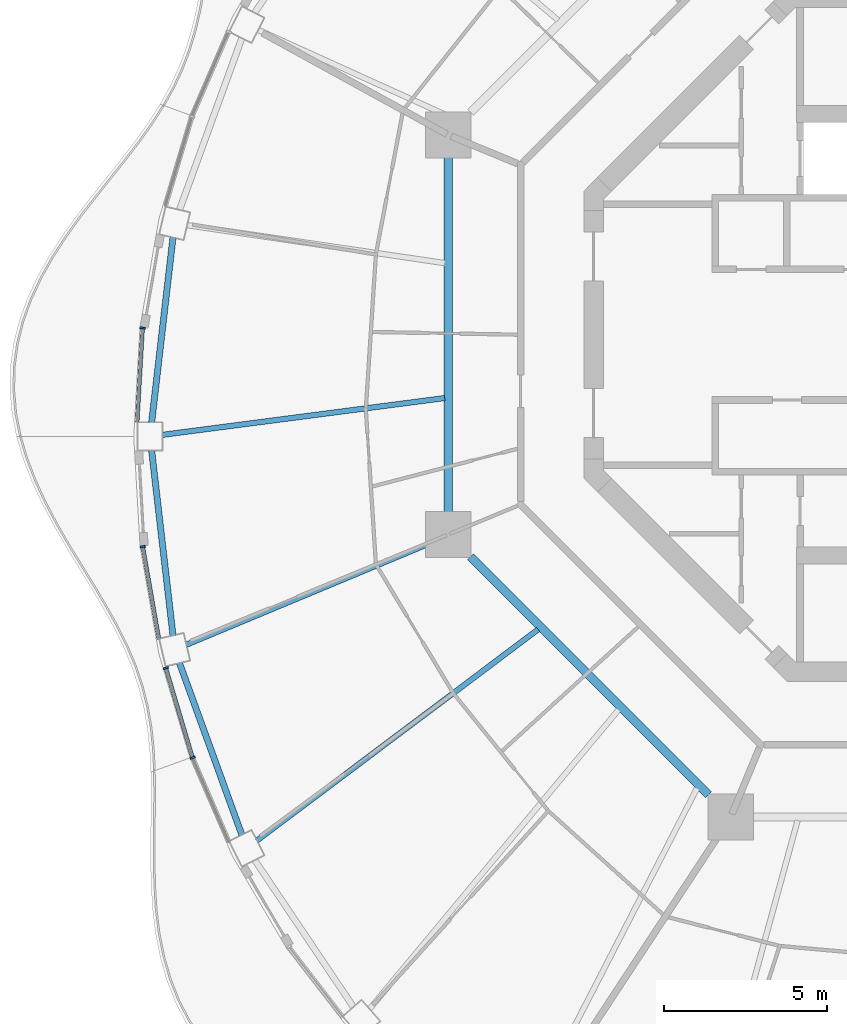
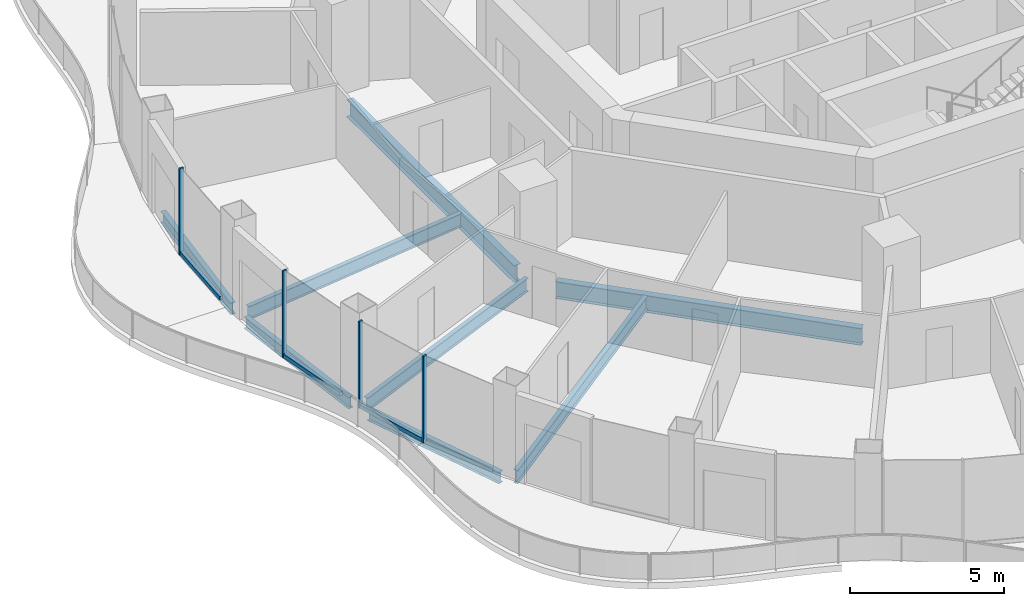
# One storey, part 3 of 17: 8 beams, 7 members, 4 elements without a shape of their own.
"""IFC4 building model written with IfcOpenShell, lengths in metres."""

import ifcopenshell
import ifcopenshell.guid

model = None  # the IFC model being written
_history = None  # IfcOwnerHistory: only IFC2X3 demands one
_inside = {}  # id of a spatial element -> (the spatial element, [elements in it])
_under = {}  # id of a project, library or spatial element -> (it, [spatial elements below it])
_declared = {}  # id of a project -> (the project, [libraries it declares])
_typed = {}  # id of a type object -> (the type object, [elements of that type])
_made_of = {}  # id of a material, layer set ... -> (it, [elements and type objects made of it])


def new_model(schema):
    """Start an empty IFC model of exactly this schema.

    Asked for "IFC4X3", IfcOpenShell would pick the latest addendum, in which some entities
    have other attributes; the version numbers below select the first issue.
    IFC2X3 requires an IfcOwnerHistory on every rooted entity: one is made here for all.
    """
    global model, _history
    if schema == "IFC4X3":
        model = ifcopenshell.file(schema_version=(4, 3, 0, 0))
    else:
        model = ifcopenshell.file(schema=schema)
    _inside.clear()
    _under.clear()
    _declared.clear()
    _typed.clear()
    _made_of.clear()
    _history = None
    if model.schema == "IFC2X3":
        org = make("IfcOrganization", Name="unknown")
        user = make(
            "IfcPersonAndOrganization",
            ThePerson=make("IfcPerson", FamilyName="unknown"),
            TheOrganization=org,
        )
        app = make(
            "IfcApplication",
            ApplicationDeveloper=org,
            Version="unknown",
            ApplicationFullName="unknown",
            ApplicationIdentifier="unknown",
        )
        _history = make(
            "IfcOwnerHistory",
            OwningUser=user,
            OwningApplication=app,
            ChangeAction="ADDED",
            CreationDate=0,
        )
    return model


def make(cls, **values):
    """One entity of the class cls with the attributes given. An attribute that is None is left unset."""
    return model.create_entity(
        cls, **{name: value for name, value in values.items() if value is not None}
    )


def rooted(cls, **values):
    """An entity with a GlobalId (a new one), such as an element, a storey or a relation."""
    return make(cls, GlobalId=ifcopenshell.guid.new(), OwnerHistory=_history, **values)


def si_unit(unit_type, name, prefix=None):
    """IfcSIUnit, for example si_unit("LENGTHUNIT", "METRE", prefix="MILLI")."""
    return make("IfcSIUnit", UnitType=unit_type, Prefix=prefix, Name=name)


def assignment(units):
    """IfcUnitAssignment: the units of a project."""
    return None if units is None else make("IfcUnitAssignment", Units=units)


def point(xyz):
    """IfcCartesianPoint."""
    return None if xyz is None else make("IfcCartesianPoint", Coordinates=xyz)


def direction(xyz):
    """IfcDirection."""
    return None if xyz is None else make("IfcDirection", DirectionRatios=xyz)


def frame(location, z_axis=None, x_axis=None):
    """IfcAxis2Placement3D, a coordinate frame: its origin and axes. An axis left out is left unset."""
    return make(
        "IfcAxis2Placement3D",
        Location=point(location),
        Axis=direction(z_axis),
        RefDirection=direction(x_axis),
    )


def frame_2d(location, x_axis=None):
    """IfcAxis2Placement2D, a coordinate frame in the plane: its origin and x axis."""
    return make(
        "IfcAxis2Placement2D", Location=point(location), RefDirection=direction(x_axis)
    )


def origin():
    """The frame at (0, 0, 0) with its axes left unset."""
    return frame((0.0, 0.0, 0.0))


def origin_2d():
    """The frame at (0, 0) in the plane with its x axis left unset."""
    return frame_2d((0.0, 0.0))


def place(relative_to, where):
    """IfcLocalPlacement: puts the frame where relative to a parent placement (None: the world)."""
    return make(
        "IfcLocalPlacement", PlacementRelTo=relative_to, RelativePlacement=where
    )


def context(
    kind, dimensions, precision=None, world=None, true_north=None, identifier=None
):
    """IfcGeometricRepresentationContext, for example the 3D "Model" context."""
    return make(
        "IfcGeometricRepresentationContext",
        ContextIdentifier=identifier,
        ContextType=kind,
        CoordinateSpaceDimension=dimensions,
        Precision=precision,
        WorldCoordinateSystem=world,
        TrueNorth=true_north,
    )


def subcontext(parent, identifier, kind, view, scale=None):
    """IfcGeometricRepresentationSubContext, for example "Body" below "Model"."""
    return make(
        "IfcGeometricRepresentationSubContext",
        ContextIdentifier=identifier,
        ContextType=kind,
        ParentContext=parent,
        TargetScale=scale,
        TargetView=view,
    )


def project(units=None, contexts=None):
    """IfcProject with its units and contexts."""
    return rooted(
        "IfcProject",
        Name="project",
        RepresentationContexts=contexts,
        UnitsInContext=assignment(units),
    )


def spatial(cls, under=None, at=None, **own):
    """A site, building, storey or space (cls), placed at a placement, below another one or the project."""
    s = rooted(cls, ObjectPlacement=at, **own)
    if under is not None:
        _under.setdefault(under.id(), (under, []))[1].append(s)
    return s


def profile(cls, at=None, kind="AREA", **sizes):
    """A parametric profile (cls). Its sizes go by their IFC names, for example OverallWidth=200.0."""
    return make(cls, ProfileType=kind, Position=at, **sizes)


def rectangle(**sizes):
    """IfcRectangleProfileDef."""
    return profile("IfcRectangleProfileDef", **sizes)


def i_section(**sizes):
    """IfcIShapeProfileDef."""
    return profile("IfcIShapeProfileDef", **sizes)


def extrude(swept, where, along, depth):
    """IfcExtrudedAreaSolid: the profile swept, set in the frame where, extruded along a direction by depth."""
    return make(
        "IfcExtrudedAreaSolid",
        SweptArea=swept,
        Position=where,
        ExtrudedDirection=direction(along),
        Depth=depth,
    )


def shape(context_of_items, identifier, shape_type, items):
    """IfcShapeRepresentation: the items that make up one representation, for example the "Body"."""
    return make(
        "IfcShapeRepresentation",
        ContextOfItems=context_of_items,
        RepresentationIdentifier=identifier,
        RepresentationType=shape_type,
        Items=items,
    )


def material(Name=None, Category=None):
    """IfcMaterial."""
    return make("IfcMaterial", Name=Name, Category=Category)


def layer(
    of_material, thickness, ventilated=None, Name=None, Category=None, Priority=None
):
    """IfcMaterialLayer: one layer of a wall or slab, of a material (None: an air gap)."""
    return make(
        "IfcMaterialLayer",
        Material=of_material,
        LayerThickness=thickness,
        IsVentilated=ventilated,
        Name=Name,
        Category=Category,
        Priority=Priority,
    )


def layer_set(layers, Name=None):
    """IfcMaterialLayerSet."""
    return make("IfcMaterialLayerSet", MaterialLayers=layers, LayerSetName=Name)


def material_profile(
    of_material, cross_section, Name=None, Category=None, Priority=None
):
    """IfcMaterialProfile: a cross section and its material."""
    return make(
        "IfcMaterialProfile",
        Name=Name,
        Material=of_material,
        Profile=cross_section,
        Priority=Priority,
        Category=Category,
    )


def profile_set(profiles, Name=None, composite=None):
    """IfcMaterialProfileSet."""
    return make(
        "IfcMaterialProfileSet",
        Name=Name,
        MaterialProfiles=profiles,
        CompositeProfile=composite,
    )


def made_of(thing, what):
    """Note that an element or type object is made of a material, layer set ...; save() writes the relation."""
    if what is not None:
        _made_of.setdefault(what.id(), (what, []))[1].append(thing)
    return thing


def type_object(cls, material=None, **own):
    """A type object (cls), such as IfcWallType, which elements share."""
    return made_of(rooted(cls, **own), material)


def element(
    cls,
    number,
    at=None,
    inside=None,
    cuts=None,
    type_object=None,
    material=None,
    context=None,
    identifier="Body",
    shape_type=None,
    held_by="IfcProductDefinitionShape",
    body=None,
    shapes=None,
    **own,
):
    """One element of the class cls, such as IfcWall. Its Tag is "e" and its number.

    at: its placement. inside: the storey or other place that contains it. cuts: it is an
    opening in that element (IfcRelVoidsElement). A single representation is given by context,
    identifier, shape_type and body (its items); several are given by shapes. held_by: the class
    of the entity that holds the representations. save() writes the other relations.
    """
    e = rooted(cls, Tag="e%d" % number, ObjectPlacement=at, **own)
    if body is not None:
        shapes = [shape(context, identifier, shape_type, body)]
    if shapes is not None:
        e.Representation = make(held_by, Representations=shapes)
    if inside is not None:
        _inside.setdefault(inside.id(), (inside, []))[1].append(e)
    if cuts is not None:
        rooted(
            "IfcRelVoidsElement", RelatingBuildingElement=cuts, RelatedOpeningElement=e
        )
    if type_object is not None:
        _typed.setdefault(type_object.id(), (type_object, []))[1].append(e)
    return made_of(e, material)


def aggregate(whole, parts):
    """IfcRelAggregates: a whole, such as a stair, and the parts it consists of."""
    return rooted("IfcRelAggregates", RelatingObject=whole, RelatedObjects=parts)


def save(model, path):
    """Write the relations noted so far, then the file.

    IfcRelAggregates (storeys below a building ...), IfcRelContainedInSpatialStructure (elements
    in a storey), IfcRelDefinesByType, IfcRelAssociatesMaterial and IfcRelDeclares: one each for
    every whole, place, type object, material and project.
    """
    for whole, parts in _under.values():
        aggregate(whole, parts)
    for where, things in _inside.values():
        rooted(
            "IfcRelContainedInSpatialStructure",
            RelatedElements=things,
            RelatingStructure=where,
        )
    for kind, things in _typed.values():
        rooted("IfcRelDefinesByType", RelatedObjects=things, RelatingType=kind)
    for what, things in _made_of.values():
        rooted("IfcRelAssociatesMaterial", RelatedObjects=things, RelatingMaterial=what)
    for by, libraries in _declared.values():
        rooted("IfcRelDeclares", RelatingContext=by, RelatedDefinitions=libraries)
    model.write(path)


model = new_model("IFC4")

# Units and contexts
model_context = context("Model", 3, precision=1e-05, world=origin(), true_north=direction((0.0, 1.0)))
body_context = subcontext(model_context, "Body", "Model", "MODEL_VIEW")
ifc_project = project(units=[si_unit("LENGTHUNIT", "METRE"), si_unit("AREAUNIT", "SQUARE_METRE"), si_unit("VOLUMEUNIT", "CUBIC_METRE"), si_unit("PLANEANGLEUNIT", "RADIAN"), si_unit("MASSUNIT", "GRAM", prefix="KILO")], contexts=[model_context])

# Site, building, storey
site_placement = place(None, origin())
site = spatial("IfcSite", under=ifc_project, at=site_placement, CompositionType="ELEMENT")
building_placement = place(site_placement, origin())
building = spatial("IfcBuilding", under=site, at=building_placement, Name="Nagisa Residences", CompositionType="ELEMENT")
storey_placement = place(building_placement, frame((0.0, 0.0, 273.300048828125)))
storey = spatial("IfcBuildingStorey", under=building, at=storey_placement, Name="L69", CompositionType="ELEMENT", Elevation=273.300048828125)

# Curtain wall, member
ifc_material_1 = material(Name="Concrete-coloured aluminium curtain wall system", Category="concrete")
ifc_layer = layer(ifc_material_1, 0.159912109375)
ifc_layer_set = layer_set([ifc_layer], Name="CW1 CURTAIN WALL")
curtain_wall_type = type_object("IfcCurtainWallType", Name="CW1 CURTAIN WALL", PredefinedType="NOTDEFINED", material=ifc_layer_set)
curtain_wall_1_placement = place(storey_placement, origin())
curtain_wall_1 = element("IfcCurtainWall", 1, at=curtain_wall_1_placement, inside=storey, type_object=curtain_wall_type, Name="cw:CW1:L69:23", PredefinedType="NOTDEFINED")
ifc_material_2 = material(Name="Concrete-coloured aluminium", Category="concrete")
ifc_material_profile_1 = material_profile(ifc_material_2, rectangle(XDim=0.159912109375, YDim=0.06005859375, at=origin_2d()), Name="CW1 MULLION 160x60")
ifc_profile_set_1 = profile_set([ifc_material_profile_1], Name="Concrete-coloured aluminium")
member_type_1 = type_object("IfcMemberType", Name="CW1 MULLION 160x60", PredefinedType="MULLION", material=ifc_profile_set_1)
member_1_placement = place(storey_placement, frame((-24.1484375, 0.20751953125, 0.0), z_axis=(0.0, 0.0, 1.0), x_axis=(0.998345305184, -0.057503492216, 0.0)))
member_1 = element("IfcMember", 2, at=member_1_placement, type_object=member_type_1, Name="CW1 mullion", PredefinedType="MULLION", context=body_context, shape_type="SweptSolid", body=[
    extrude(rectangle(XDim=0.159912109375, YDim=0.06005859375, at=origin_2d()), origin(), (0.0, 0.0, 1.0), 3.43994140625),
])

curtain_wall_2_placement = place(storey_placement, origin())
curtain_wall_2 = element("IfcCurtainWall", 3, at=curtain_wall_2_placement, inside=storey, type_object=curtain_wall_type, Name="cw:CW1:L69:25", PredefinedType="NOTDEFINED")
member_2_placement = place(storey_placement, frame((-24.142578125, -6.4931640625, 0.0), z_axis=(0.0, 0.0, 1.0), x_axis=(0.985063604377, 0.172190868898, 0.0)))
member_2 = element("IfcMember", 4, at=member_2_placement, type_object=member_type_1, Name="CW1 mullion", PredefinedType="MULLION", context=body_context, shape_type="SweptSolid", body=[
    extrude(rectangle(XDim=0.159912109375, YDim=0.06005859375, at=origin_2d()), origin(), (0.0, 0.0, 1.0), 3.43994140625),
])

curtain_wall_3_placement = place(storey_placement, origin())
curtain_wall_3 = element("IfcCurtainWall", 5, at=curtain_wall_3_placement, inside=storey, type_object=curtain_wall_type, Name="cw:CW1:L69:26", PredefinedType="NOTDEFINED")
member_3_placement = place(storey_placement, frame((-23.435302734375, -10.216796875, 0.0), z_axis=(0.0, 0.0, 1.0), x_axis=(0.958271310082, 0.285860274038, 0.0)))
member_3 = element("IfcMember", 6, at=member_3_placement, type_object=member_type_1, Name="CW1 mullion", PredefinedType="MULLION", context=body_context, shape_type="SweptSolid", body=[
    extrude(rectangle(XDim=0.159912109375, YDim=0.06005859375, at=origin_2d()), origin(), (0.0, 0.0, 1.0), 3.43994140625),
])

curtain_wall_4_placement = place(storey_placement, origin())
curtain_wall_4 = element("IfcCurtainWall", 7, at=curtain_wall_4_placement, inside=storey, type_object=curtain_wall_type, Name="cw:CW1:L69:27", PredefinedType="NOTDEFINED")
member_4_placement = place(storey_placement, frame((-22.61279296875, -12.963623046875, 0.0), z_axis=(0.0, 0.0, 1.0), x_axis=(0.917543276295, 0.397635934147, 0.0)))
member_4 = element("IfcMember", 8, at=member_4_placement, type_object=member_type_1, Name="CW1 mullion", PredefinedType="MULLION", context=body_context, shape_type="SweptSolid", body=[
    extrude(rectangle(XDim=0.159912109375, YDim=0.06005859375, at=origin_2d()), origin(), (0.0, 0.0, 1.0), 3.43994140625),
])
aggregate(curtain_wall_4, [member_4])

# Member
ifc_material_3 = material(Name="Concrete-coloured aluminium", Category="concrete")
ifc_material_profile_2 = material_profile(ifc_material_3, rectangle(XDim=0.1201171875, YDim=0.14990234375, at=origin_2d()), Name="CW1 TRANSOM 120x150")
ifc_profile_set_2 = profile_set([ifc_material_profile_2], Name="Concrete-coloured aluminium")
member_type_2 = type_object("IfcMemberType", Name="CW1 TRANSOM 120x150", PredefinedType="USERDEFINED", material=ifc_profile_set_2)
member_5_placement = place(storey_placement, frame((-24.146728515625, 0.237548828125, 0.074951171875), z_axis=(-0.057445660401, -0.998348634547, 0.0), x_axis=(0.998348634547, -0.057445660401, 0.0)))
member_5 = element("IfcMember", 9, at=member_5_placement, type_object=member_type_2, Name="CW1 transom", ObjectType="TRANSOM", PredefinedType="USERDEFINED", context=body_context, shape_type="SweptSolid", body=[
    extrude(rectangle(XDim=0.1201171875, YDim=0.14990234375, at=origin_2d()), origin(), (0.0, 0.0, 1.0), 2.91552734375),
])

aggregate(curtain_wall_1, [member_1, member_5])

member_6_placement = place(storey_placement, frame((-24.147705078125, -6.463623046875, 0.074951171875), z_axis=(0.172182411767, -0.985065082661, 0.0), x_axis=(0.985065082661, 0.172182411767, 0.0)))
member_6 = element("IfcMember", 10, at=member_6_placement, type_object=member_type_2, Name="CW1 transom", ObjectType="TRANSOM", PredefinedType="USERDEFINED", context=body_context, shape_type="SweptSolid", body=[
    extrude(rectangle(XDim=0.1201171875, YDim=0.14990234375, at=origin_2d()), origin(), (0.0, 0.0, 1.0), 2.902587890625),
])

aggregate(curtain_wall_2, [member_2, member_6])

member_7_placement = place(storey_placement, frame((-23.44384765625, -10.18798828125, 0.074951171875), z_axis=(0.285798286059, -0.958289799427, 0.0), x_axis=(0.958289799427, 0.285798286059, 0.0)))
member_7 = element("IfcMember", 11, at=member_7_placement, type_object=member_type_2, Name="CW1 transom", ObjectType="TRANSOM", PredefinedType="USERDEFINED", context=body_context, shape_type="SweptSolid", body=[
    extrude(rectangle(XDim=0.1201171875, YDim=0.14990234375, at=origin_2d()), origin(), (0.0, 0.0, 1.0), 2.877197265625),
])

aggregate(curtain_wall_3, [member_3, member_7])

# Beams
ifc_material_4 = material(Name="Steel ASTM A572 Gr 50", Category="steel")
ifc_material_profile_3 = material_profile(ifc_material_4, i_section(OverallWidth=0.2529296875, OverallDepth=0.677978515625, WebThickness=0.01171875, FlangeThickness=0.016357421875, at=origin_2d()), Name="W690x125")
ifc_profile_set_3 = profile_set([ifc_material_profile_3], Name="Steel ASTM A572 Gr 50")
beam_type_1 = type_object("IfcBeamType", Name="Inner ring beam W690x125", PredefinedType="BEAM", material=ifc_profile_set_3)
beam_1_placement = place(storey_placement, frame((-14.781982421875, 5.44287109375, -0.59912109375), z_axis=(0.0, -1.0, 0.0), x_axis=(1.0, 0.0, 0.0)))
element("IfcBeam", 12, at=beam_1_placement, inside=storey, type_object=beam_type_1, Name="beam:L69:ib4", PredefinedType="BEAM", context=body_context, shape_type="SweptSolid", body=[
    extrude(i_section(OverallWidth=0.2529296875, OverallDepth=0.677978515625, WebThickness=0.01171875, FlangeThickness=0.016357421875, at=origin_2d()), origin(), (0.0, 0.0, 1.0), 10.8857421875),
])
beam_2_placement = place(storey_placement, frame((-14.09619140625, -6.808837890625, -0.59912109375), z_axis=(0.707106781187, -0.707106781187, 0.0), x_axis=(0.707106781187, 0.707106781187, 0.0)))
element("IfcBeam", 13, at=beam_2_placement, inside=storey, type_object=beam_type_1, Name="beam:L69:ib5", PredefinedType="BEAM", context=body_context, shape_type="SweptSolid", body=[
    extrude(i_section(OverallWidth=0.2529296875, OverallDepth=0.677978515625, WebThickness=0.01171875, FlangeThickness=0.016357421875, at=origin_2d()), origin(), (0.0, 0.0, 1.0), 10.305908203125),
])
ifc_material_5 = material(Name="Steel ASTM A572 Gr 50", Category="steel")
ifc_material_profile_4 = material_profile(ifc_material_5, i_section(OverallWidth=0.18994140625, OverallDepth=0.45703125, WebThickness=0.009033203125, FlangeThickness=0.014404296875, at=origin_2d()), Name="W460x74")
ifc_profile_set_4 = profile_set([ifc_material_profile_4], Name="Steel ASTM A572 Gr 50")
beam_type_2 = type_object("IfcBeamType", Name="Perimeter ring beam W460x74", PredefinedType="BEAM", material=ifc_profile_set_4)
for number, where, z_axis, x_axis, name in (
    (14, (-23.2158203125, 2.984619140625, -0.488525390625), (-0.114635468623, -0.993407624962, 0.0), (0.993407624962, -0.114635468623, 0.0), "beam:L69:pb12"),
    (15, (-23.870361328125, -3.5478515625, -0.488525390625), (0.114635468623, -0.993407624962, 0.0), (0.993407624962, 0.114635468623, 0.0), "beam:L69:pb13"),
):
    element("IfcBeam", number, at=place(storey_placement, frame(where, z_axis=z_axis, x_axis=x_axis)), inside=storey, type_object=beam_type_2, Name=name, PredefinedType="BEAM", context=body_context, shape_type="SweptSolid", body=[
        extrude(i_section(OverallWidth=0.18994140625, OverallDepth=0.45703125, WebThickness=0.009033203125, FlangeThickness=0.014404296875, at=origin_2d()), origin(), (0.0, 0.0, 1.0), 5.709716796875),
    ])
beam_3_placement = place(storey_placement, frame((-23.0185546875, -10.057373046875, -0.488525390625), z_axis=(0.341250304478, -0.9399724622, 0.0), x_axis=(0.9399724622, 0.341250304478, 0.0)))
element("IfcBeam", 16, at=beam_3_placement, inside=storey, type_object=beam_type_2, Name="beam:L69:pb14", PredefinedType="BEAM", context=body_context, shape_type="SweptSolid", body=[
    extrude(i_section(OverallWidth=0.18994140625, OverallDepth=0.45703125, WebThickness=0.009033203125, FlangeThickness=0.014404296875, at=origin_2d()), origin(), (0.0, 0.0, 1.0), 5.609619140625),
])
ifc_material_6 = material(Name="Steel ASTM A572 Gr 50", Category="steel")
ifc_material_profile_5 = material_profile(ifc_material_6, i_section(OverallWidth=0.166015625, OverallDepth=0.534912109375, WebThickness=0.01025390625, FlangeThickness=0.0166015625, at=origin_2d()), Name="W530x85")
ifc_profile_set_5 = profile_set([ifc_material_profile_5], Name="Steel ASTM A572 Gr 50")
beam_type_3 = type_object("IfcBeamType", Name="Radial beam W530x85", PredefinedType="BEAM", material=ifc_profile_set_5)
beam_4_placement = place(storey_placement, frame((-23.539794921875, -3.068115234375, -0.527587890625), z_axis=(0.991614605292, 0.129230315994, 0.0), x_axis=(-0.129230315994, 0.991614605292, 0.0)))
element("IfcBeam", 17, at=beam_4_placement, inside=storey, type_object=beam_type_3, Name="beam:L69:rb13", PredefinedType="BEAM", context=body_context, shape_type="SweptSolid", body=[
    extrude(i_section(OverallWidth=0.166015625, OverallDepth=0.534912109375, WebThickness=0.01025390625, FlangeThickness=0.0166015625, at=origin_2d()), origin(), (0.0, 0.0, 1.0), 8.724365234375),
])
beam_5_placement = place(storey_placement, frame((-22.810546875, -9.502197265625, -0.527587890625), z_axis=(0.92310713136, 0.384542876716, 0.0), x_axis=(-0.384542876716, 0.92310713136, 0.0)))
element("IfcBeam", 18, at=beam_5_placement, inside=storey, type_object=beam_type_3, Name="beam:L69:rb14", PredefinedType="BEAM", context=body_context, shape_type="SweptSolid", body=[
    extrude(i_section(OverallWidth=0.166015625, OverallDepth=0.534912109375, WebThickness=0.01025390625, FlangeThickness=0.0166015625, at=origin_2d()), origin(), (0.0, 0.0, 1.0), 8.607177734375),
])
beam_6_placement = place(storey_placement, frame((-20.647705078125, -15.505859375, -0.527587890625), z_axis=(0.799616749037, 0.600510661571, 0.0), x_axis=(-0.600510661571, 0.799616749037, 0.0)))
element("IfcBeam", 19, at=beam_6_placement, inside=storey, type_object=beam_type_3, Name="beam:L69:rb15", PredefinedType="BEAM", context=body_context, shape_type="SweptSolid", body=[
    extrude(i_section(OverallWidth=0.166015625, OverallDepth=0.534912109375, WebThickness=0.01025390625, FlangeThickness=0.0166015625, at=origin_2d()), origin(), (0.0, 0.0, 1.0), 10.782958984375),
])

save(model, "model.ifc")
